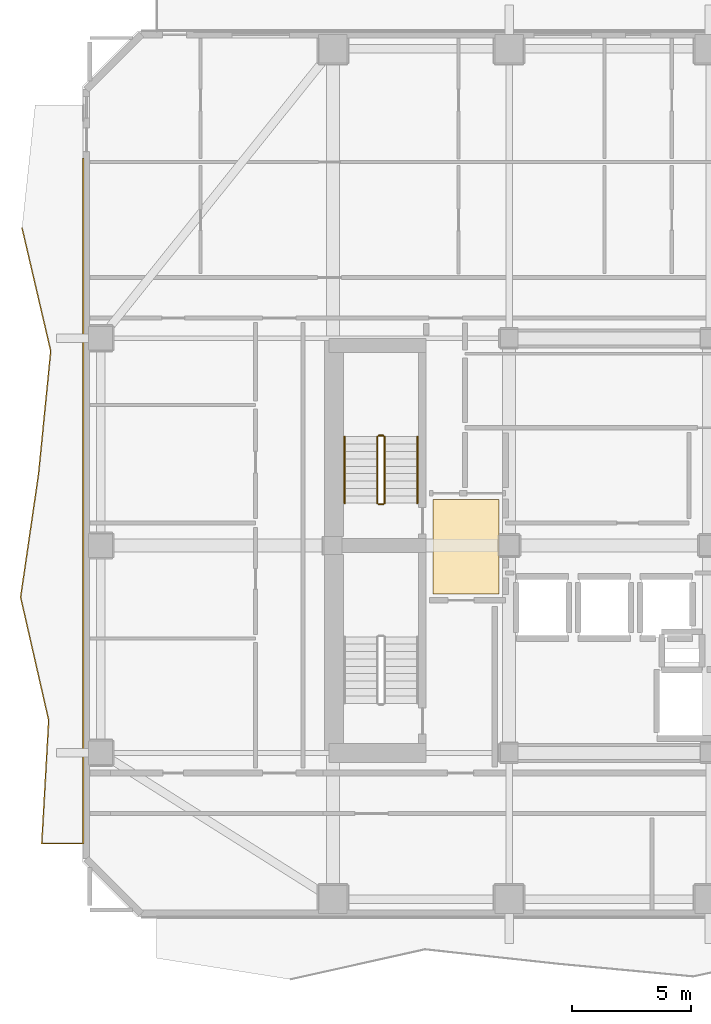
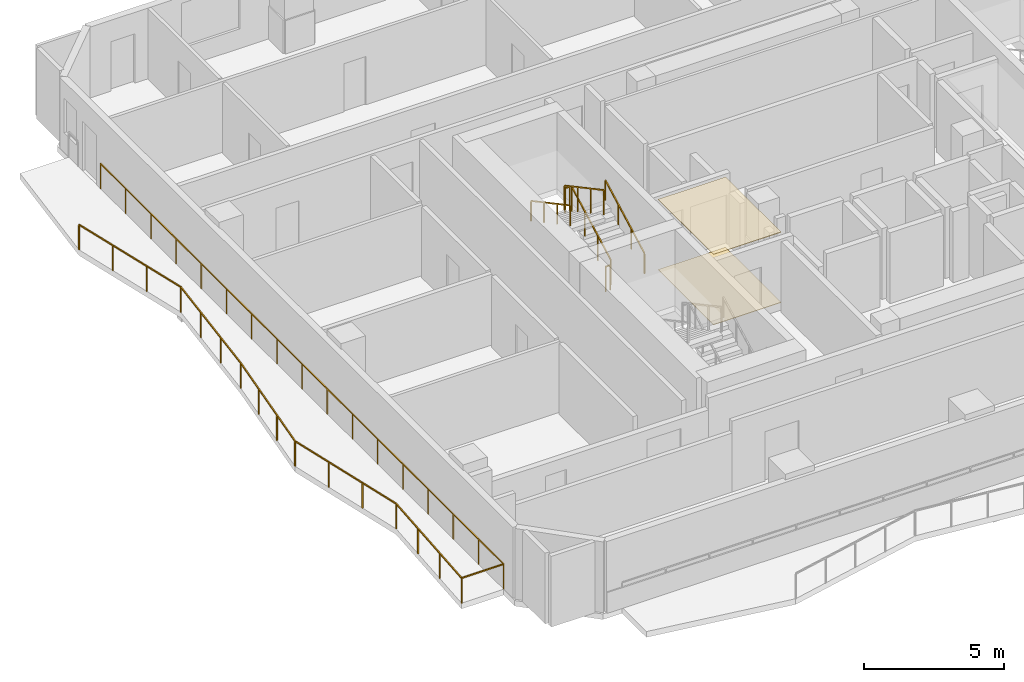
# One storey, part 8 of 10: 7 railings, 2 coverings.
"""IFC4 building model written with IfcOpenShell, lengths in metres."""

from ifc_helpers import new_model, si_unit, direction, frame, origin, origin_2d, place, context, subcontext, project, spatial, polyline, rectangle, outline, extrude, material, layer, layer_set, type_object, element, save


model = new_model("IFC4")

# Units and contexts
model_context = context("Model", 3, precision=1e-05, world=origin(), true_north=direction((0.0, 1.0)))
body_context = subcontext(model_context, "Body", "Model", "MODEL_VIEW")
ifc_project = project(units=[si_unit("LENGTHUNIT", "METRE"), si_unit("AREAUNIT", "SQUARE_METRE"), si_unit("VOLUMEUNIT", "CUBIC_METRE"), si_unit("PLANEANGLEUNIT", "RADIAN"), si_unit("MASSUNIT", "GRAM", prefix="KILO")], contexts=[model_context])

# Site, building, storey
site_placement = place(None, origin())
site = spatial("IfcSite", under=ifc_project, at=site_placement, CompositionType="ELEMENT")
building_placement = place(site_placement, origin())
building = spatial("IfcBuilding", under=site, at=building_placement, Name="Solanera Arch Residences", CompositionType="ELEMENT")
storey_placement = place(building_placement, frame((0.0, 0.0, 176.8798828125)))
storey = spatial("IfcBuildingStorey", under=building, at=storey_placement, Name="L51", CompositionType="ELEMENT", Elevation=176.8798828125)

# Railing
ifc_material_1 = material(Name="Steel S355 (ASTM A992 / A572 Grade 50)", Category="steel")
railing_type_1 = type_object("IfcRailingType", Name="Balustrade Railing BL-1100", PredefinedType="BALUSTRADE", material=ifc_material_1)
railing_1_placement = place(storey_placement, frame((0.35009765625, 44.032958984375, 0.0)))
element("IfcRailing", 1, at=railing_1_placement, inside=storey, type_object=railing_type_1, Name="L51 W Balcony Balustrade 1", PredefinedType="BALUSTRADE", context=body_context, shape_type="SweptSolid", body=[
    extrude(rectangle(XDim=0.048095703125, YDim=0.048095703125, at=origin_2d()), frame((0.0, 0.0, 1.09619140625), z_axis=(0.227127770196, -0.973864968055, 0.0), x_axis=(0.973864968055, 0.227127770196, 0.0)), (0.0, 0.0, 1.0), 5.3046875),
    extrude(rectangle(XDim=0.048095703125, YDim=0.048095703125, at=origin_2d()), frame((1.204833984375, -5.166015625, 1.09619140625), z_axis=(-0.098600525395, -0.995127095597, 0.0), x_axis=(0.995127095597, -0.098600525395, 0.0)), (0.0, 0.0, 1.0), 5.1923828125),
    extrude(rectangle(XDim=0.048095703125, YDim=0.048095703125, at=origin_2d()), frame((0.69287109375, -10.3330078125, 1.09619140625), z_axis=(-0.144013107318, -0.989575780282, 0.0), x_axis=(0.989575780282, -0.144013107318, 0.0)), (0.0, 0.0, 1.0), 5.221435546875),
    extrude(rectangle(XDim=0.048095703125, YDim=0.048095703125, at=origin_2d()), frame((-0.05908203125, -15.5, 1.09619140625), z_axis=(0.222318075251, -0.974974191154, 0.0), x_axis=(0.974974191154, 0.222318075251, 0.0)), (0.0, 0.0, 1.0), 5.298583984375),
    extrude(rectangle(XDim=0.048095703125, YDim=0.048095703125, at=origin_2d()), frame((1.118896484375, -20.666015625, 1.09619140625), z_axis=(-0.056044829191, -0.998428253367, 0.0), x_axis=(0.998428253367, -0.056044829191, 0.0)), (0.0, 0.0, 1.0), 5.175048828125),
    extrude(rectangle(XDim=0.048095703125, YDim=0.048095703125, at=origin_2d()), frame((0.828857421875, -25.8330078125, 1.09619140625), z_axis=(1.0, 0.0, 0.0), x_axis=(0.0, 1.0, 0.0)), (0.0, 0.0, 1.0), 1.740966796875),
    extrude(rectangle(XDim=0.048095703125, YDim=0.048095703125, at=origin_2d()), frame((2.56982421875, -25.8330078125, 1.09619140625), z_axis=(0.0, 1.0, 0.0), x_axis=(-1.0, 0.0, 0.0)), (0.0, 0.0, 1.0), 28.739013671875),
    extrude(rectangle(XDim=0.0419921875, YDim=0.0419921875, at=origin_2d()), origin(), (0.0, 0.0, 1.0), 1.072021484375),
    extrude(rectangle(XDim=0.0419921875, YDim=0.0419921875, at=origin_2d()), frame((0.401611328125, -1.721923828125, 0.0)), (0.0, 0.0, 1.0), 1.072021484375),
    extrude(rectangle(XDim=0.0419921875, YDim=0.0419921875, at=origin_2d()), frame((0.80322265625, -3.444091796875, 0.0)), (0.0, 0.0, 1.0), 1.072021484375),
    extrude(rectangle(XDim=0.0419921875, YDim=0.0419921875, at=origin_2d()), frame((1.204833984375, -5.166015625, 0.0)), (0.0, 0.0, 1.0), 1.072021484375),
    extrude(rectangle(XDim=0.0419921875, YDim=0.0419921875, at=origin_2d()), frame((1.0341796875, -6.888427734375, 0.0)), (0.0, 0.0, 1.0), 1.072021484375),
    extrude(rectangle(XDim=0.0419921875, YDim=0.0419921875, at=origin_2d()), frame((0.863525390625, -8.610595703125, 0.0)), (0.0, 0.0, 1.0), 1.072021484375),
    extrude(rectangle(XDim=0.0419921875, YDim=0.0419921875, at=origin_2d()), frame((0.69287109375, -10.3330078125, 0.0)), (0.0, 0.0, 1.0), 1.072021484375),
    extrude(rectangle(XDim=0.0419921875, YDim=0.0419921875, at=origin_2d()), frame((0.442138671875, -12.055419921875, 0.0)), (0.0, 0.0, 1.0), 1.072021484375),
    extrude(rectangle(XDim=0.0419921875, YDim=0.0419921875, at=origin_2d()), frame((0.191650390625, -13.777587890625, 0.0)), (0.0, 0.0, 1.0), 1.072021484375),
    extrude(rectangle(XDim=0.0419921875, YDim=0.0419921875, at=origin_2d()), frame((-0.05908203125, -15.5, 0.0)), (0.0, 0.0, 1.0), 1.072021484375),
    extrude(rectangle(XDim=0.0419921875, YDim=0.0419921875, at=origin_2d()), frame((0.33349609375, -17.221923828125, 0.0)), (0.0, 0.0, 1.0), 1.072021484375),
    extrude(rectangle(XDim=0.0419921875, YDim=0.0419921875, at=origin_2d()), frame((0.726318359375, -18.944091796875, 0.0)), (0.0, 0.0, 1.0), 1.072021484375),
    extrude(rectangle(XDim=0.0419921875, YDim=0.0419921875, at=origin_2d()), frame((1.118896484375, -20.666015625, 0.0)), (0.0, 0.0, 1.0), 1.072021484375),
    extrude(rectangle(XDim=0.0419921875, YDim=0.0419921875, at=origin_2d()), frame((1.022216796875, -22.388427734375, 0.0)), (0.0, 0.0, 1.0), 1.072021484375),
    extrude(rectangle(XDim=0.0419921875, YDim=0.0419921875, at=origin_2d()), frame((0.925537109375, -24.110595703125, 0.0)), (0.0, 0.0, 1.0), 1.072021484375),
    extrude(rectangle(XDim=0.0419921875, YDim=0.0419921875, at=origin_2d()), frame((0.828857421875, -25.8330078125, 0.0)), (0.0, 0.0, 1.0), 1.072021484375),
    extrude(rectangle(XDim=0.0419921875, YDim=0.0419921875, at=origin_2d()), frame((2.56982421875, -25.8330078125, 0.0)), (0.0, 0.0, 1.0), 1.072021484375),
    extrude(rectangle(XDim=0.0419921875, YDim=0.0419921875, at=origin_2d()), frame((2.56982421875, -24.036865234375, 0.0)), (0.0, 0.0, 1.0), 1.072021484375),
    extrude(rectangle(XDim=0.0419921875, YDim=0.0419921875, at=origin_2d()), frame((2.56982421875, -22.24072265625, 0.0)), (0.0, 0.0, 1.0), 1.072021484375),
    extrude(rectangle(XDim=0.0419921875, YDim=0.0419921875, at=origin_2d()), frame((2.56982421875, -20.4443359375, 0.0)), (0.0, 0.0, 1.0), 1.072021484375),
    extrude(rectangle(XDim=0.0419921875, YDim=0.0419921875, at=origin_2d()), frame((2.56982421875, -18.648193359375, 0.0)), (0.0, 0.0, 1.0), 1.072021484375),
    extrude(rectangle(XDim=0.0419921875, YDim=0.0419921875, at=origin_2d()), frame((2.56982421875, -16.85205078125, 0.0)), (0.0, 0.0, 1.0), 1.072021484375),
    extrude(rectangle(XDim=0.0419921875, YDim=0.0419921875, at=origin_2d()), frame((2.56982421875, -15.055908203125, 0.0)), (0.0, 0.0, 1.0), 1.072021484375),
    extrude(rectangle(XDim=0.0419921875, YDim=0.0419921875, at=origin_2d()), frame((2.56982421875, -13.259765625, 0.0)), (0.0, 0.0, 1.0), 1.072021484375),
    extrude(rectangle(XDim=0.0419921875, YDim=0.0419921875, at=origin_2d()), frame((2.56982421875, -11.46337890625, 0.0)), (0.0, 0.0, 1.0), 1.072021484375),
    extrude(rectangle(XDim=0.0419921875, YDim=0.0419921875, at=origin_2d()), frame((2.56982421875, -9.667236328125, 0.0)), (0.0, 0.0, 1.0), 1.072021484375),
    extrude(rectangle(XDim=0.0419921875, YDim=0.0419921875, at=origin_2d()), frame((2.56982421875, -7.87109375, 0.0)), (0.0, 0.0, 1.0), 1.072021484375),
    extrude(rectangle(XDim=0.0419921875, YDim=0.0419921875, at=origin_2d()), frame((2.56982421875, -6.074951171875, 0.0)), (0.0, 0.0, 1.0), 1.072021484375),
    extrude(rectangle(XDim=0.0419921875, YDim=0.0419921875, at=origin_2d()), frame((2.56982421875, -4.27880859375, 0.0)), (0.0, 0.0, 1.0), 1.072021484375),
    extrude(rectangle(XDim=0.0419921875, YDim=0.0419921875, at=origin_2d()), frame((2.56982421875, -2.482666015625, 0.0)), (0.0, 0.0, 1.0), 1.072021484375),
    extrude(rectangle(XDim=0.0419921875, YDim=0.0419921875, at=origin_2d()), frame((2.56982421875, -0.686279296875, 0.0)), (0.0, 0.0, 1.0), 1.072021484375),
    extrude(rectangle(XDim=0.0419921875, YDim=0.0419921875, at=origin_2d()), frame((2.56982421875, 1.10986328125, 0.0)), (0.0, 0.0, 1.0), 1.072021484375),
    extrude(rectangle(XDim=0.0419921875, YDim=0.0419921875, at=origin_2d()), frame((2.56982421875, 2.906005859375, 0.0)), (0.0, 0.0, 1.0), 1.072021484375),
])

# Covering
ifc_material_2 = material(Name="Porcelain Acoustic Floor Tile", Category="ceramic")
ifc_layer_1 = layer(ifc_material_2, 0.02001953125)
ifc_layer_set_1 = layer_set([ifc_layer_1], Name="Porcelain Acoustic Floor Tile")
covering_type_1 = type_object("IfcCoveringType", Name="Porcelain Acoustic Floor Finish FLR-20", PredefinedType="FLOORING", material=ifc_layer_set_1)
covering_1_placement = place(storey_placement, origin())
element("IfcCovering", 2, at=covering_1_placement, inside=storey, type_object=covering_type_1, Name="L51-FFL-W Porcelain Floor Finish", PredefinedType="FLOORING", context=body_context, shape_type="SweptSolid", body=[
    extrude(outline(polyline([(20.375, 28.675048828125), (17.594970703125, 28.675048828125), (17.594970703125, 32.625), (20.375, 32.625), (20.375, 28.675048828125)])), origin(), (0.0, 0.0, 1.0), 0.02001953125),
])

# Railings
ifc_material_3 = material(Name="Steel S355 (ASTM A992 / A572 Grade 50)", Category="steel")
railing_type_2 = type_object("IfcRailingType", Name="Stair Guardrail GR-1100", PredefinedType="GUARDRAIL", material=ifc_material_3)
railing_2_placement = place(storey_placement, frame((15.570068359375, 32.47998046875, 0.151123046875)))
element("IfcRailing", 3, at=railing_2_placement, inside=storey, type_object=railing_type_2, Name="L51 ST-T1 stair guard 1", PredefinedType="GUARDRAIL", context=body_context, shape_type="SweptSolid", body=[
    extrude(rectangle(XDim=0.048095703125, YDim=0.048095703125, at=origin_2d()), frame((0.0, 0.0, 1.076171875), z_axis=(0.0, 0.881580869306, 0.472033018838), x_axis=(-1.0, 0.0, 0.0)), (0.0, 0.0, 1.0), 3.164794921875),
    extrude(rectangle(XDim=0.0419921875, YDim=0.0419921875, at=origin_2d()), origin(), (0.0, 0.0, 1.0), 1.052001953125),
    extrude(rectangle(XDim=0.0419921875, YDim=0.0419921875, at=origin_2d()), frame((0.0, 0.929931640625, 0.498046875)), (0.0, 0.0, 1.0), 1.052001953125),
    extrude(rectangle(XDim=0.0419921875, YDim=0.0419921875, at=origin_2d()), frame((0.0, 1.860107421875, 0.995849609375)), (0.0, 0.0, 1.0), 1.052001953125),
    extrude(rectangle(XDim=0.0419921875, YDim=0.0419921875, at=origin_2d()), frame((0.0, 2.7900390625, 1.493896484375)), (0.0, 0.0, 1.0), 1.052001953125),
])
railing_3_placement = place(storey_placement, frame((15.52001953125, 35.320068359375, 1.64501953125)))
element("IfcRailing", 4, at=railing_3_placement, inside=storey, type_object=railing_type_2, Name="L51 ST-T1 stair guard 2", PredefinedType="GUARDRAIL", context=body_context, shape_type="SweptSolid", body=[
    extrude(rectangle(XDim=0.048095703125, YDim=0.048095703125, at=origin_2d()), frame((0.0, 0.0, 1.076171875), z_axis=(-1.0, 0.0, 0.0), x_axis=(0.0, -1.0, 0.0)), (0.0, 0.0, 1.0), 0.199951171875),
    extrude(rectangle(XDim=0.0419921875, YDim=0.0419921875, at=origin_2d()), origin(), (0.0, 0.0, 1.0), 1.052001953125),
    extrude(rectangle(XDim=0.0419921875, YDim=0.0419921875, at=origin_2d()), frame((-0.199951171875, 0.0, 0.0)), (0.0, 0.0, 1.0), 1.052001953125),
])
railing_4_placement = place(storey_placement, frame((15.27001953125, 35.27001953125, 1.81103515625)))
element("IfcRailing", 5, at=railing_4_placement, inside=storey, type_object=railing_type_2, Name="L51 ST-T1 stair guard 3", PredefinedType="GUARDRAIL", context=body_context, shape_type="SweptSolid", body=[
    extrude(rectangle(XDim=0.048095703125, YDim=0.048095703125, at=origin_2d()), frame((0.0, 0.0, 1.076171875), z_axis=(0.0, -0.881548766853, 0.472092969298), x_axis=(1.0, 0.0, 0.0)), (0.0, 0.0, 1.0), 3.1650390625),
    extrude(rectangle(XDim=0.0419921875, YDim=0.0419921875, at=origin_2d()), origin(), (0.0, 0.0, 1.0), 1.052001953125),
    extrude(rectangle(XDim=0.0419921875, YDim=0.0419921875, at=origin_2d()), frame((0.0, -0.929931640625, 0.498046875)), (0.0, 0.0, 1.0), 1.052001953125),
    extrude(rectangle(XDim=0.0419921875, YDim=0.0419921875, at=origin_2d()), frame((0.0, -1.860107421875, 0.99609375)), (0.0, 0.0, 1.0), 1.052001953125),
    extrude(rectangle(XDim=0.0419921875, YDim=0.0419921875, at=origin_2d()), frame((0.0, -2.7900390625, 1.494140625)), (0.0, 0.0, 1.0), 1.052001953125),
])
railing_5_placement = place(storey_placement, frame((15.52001953125, 32.429931640625, -0.014892578125)))
element("IfcRailing", 6, at=railing_5_placement, inside=storey, type_object=railing_type_2, Name="L51 ST-T1 stair guard 4", PredefinedType="GUARDRAIL", context=body_context, shape_type="SweptSolid", body=[
    extrude(rectangle(XDim=0.048095703125, YDim=0.048095703125, at=origin_2d()), frame((0.0, 0.0, 1.076171875), z_axis=(-1.0, 0.0, 0.0), x_axis=(0.0, -1.0, 0.0)), (0.0, 0.0, 1.0), 0.199951171875),
    extrude(rectangle(XDim=0.0419921875, YDim=0.0419921875, at=origin_2d()), origin(), (0.0, 0.0, 1.0), 1.052001953125),
    extrude(rectangle(XDim=0.0419921875, YDim=0.0419921875, at=origin_2d()), frame((-0.199951171875, 0.0, 0.0)), (0.0, 0.0, 1.0), 1.052001953125),
])
ifc_material_4 = material(Name="Steel S355 (ASTM A992 / A572 Grade 50)", Category="steel")
railing_type_3 = type_object("IfcRailingType", Name="Stair Wall Handrail HR-920", PredefinedType="HANDRAIL", material=ifc_material_4)
railing_6_placement = place(storey_placement, frame((16.949951171875, 32.47998046875, 0.166015625)))
element("IfcRailing", 7, at=railing_6_placement, inside=storey, type_object=railing_type_3, Name="L51 ST-T1 stair handrail 1", PredefinedType="HANDRAIL", context=body_context, shape_type="SweptSolid", body=[
    extrude(rectangle(XDim=0.048095703125, YDim=0.048095703125, at=origin_2d()), frame((0.0, 0.0, 0.8759765625), z_axis=(0.0, 0.881548766853, 0.472092969298), x_axis=(-1.0, 0.0, 0.0)), (0.0, 0.0, 1.0), 3.1650390625),
    extrude(rectangle(XDim=0.0419921875, YDim=0.0419921875, at=origin_2d()), origin(), (0.0, 0.0, 1.0), 0.851806640625),
    extrude(rectangle(XDim=0.0419921875, YDim=0.0419921875, at=origin_2d()), frame((0.0, 0.929931640625, 0.498046875)), (0.0, 0.0, 1.0), 0.851806640625),
    extrude(rectangle(XDim=0.0419921875, YDim=0.0419921875, at=origin_2d()), frame((0.0, 1.860107421875, 0.99609375)), (0.0, 0.0, 1.0), 0.851806640625),
    extrude(rectangle(XDim=0.0419921875, YDim=0.0419921875, at=origin_2d()), frame((0.0, 2.7900390625, 1.494140625)), (0.0, 0.0, 1.0), 0.851806640625),
])
railing_7_placement = place(storey_placement, frame((13.889892578125, 35.27001953125, 1.826171875)))
element("IfcRailing", 8, at=railing_7_placement, inside=storey, type_object=railing_type_3, Name="L51 ST-T1 stair handrail 2", PredefinedType="HANDRAIL", context=body_context, shape_type="SweptSolid", body=[
    extrude(rectangle(XDim=0.048095703125, YDim=0.048095703125, at=origin_2d()), frame((0.0, 0.0, 0.8759765625), z_axis=(0.0, -0.881580869306, 0.472033018838), x_axis=(1.0, 0.0, 0.0)), (0.0, 0.0, 1.0), 3.164794921875),
    extrude(rectangle(XDim=0.0419921875, YDim=0.0419921875, at=origin_2d()), origin(), (0.0, 0.0, 1.0), 0.851806640625),
    extrude(rectangle(XDim=0.0419921875, YDim=0.0419921875, at=origin_2d()), frame((0.0, -0.929931640625, 0.498046875)), (0.0, 0.0, 1.0), 0.851806640625),
    extrude(rectangle(XDim=0.0419921875, YDim=0.0419921875, at=origin_2d()), frame((0.0, -1.860107421875, 0.995849609375)), (0.0, 0.0, 1.0), 0.851806640625),
    extrude(rectangle(XDim=0.0419921875, YDim=0.0419921875, at=origin_2d()), frame((0.0, -2.7900390625, 1.493896484375)), (0.0, 0.0, 1.0), 0.851806640625),
])

# Covering
ifc_material_5 = material(Name="Mineral Fibre Acoustic Ceiling Board", Category="gypsum")
ifc_layer_2 = layer(ifc_material_5, 0.02490234375)
ifc_layer_set_2 = layer_set([ifc_layer_2], Name="Mineral Fibre Acoustic Ceiling Board")
covering_type_2 = type_object("IfcCoveringType", Name="Suspended Acoustic Ceiling Board CLG-25", PredefinedType="CEILING", material=ifc_layer_set_2)
covering_2_placement = place(storey_placement, frame((0.0, 0.0, 3.05517578125)))
element("IfcCovering", 9, at=covering_2_placement, inside=storey, type_object=covering_type_2, Name="L51-FFL-W Acoustic Ceiling", PredefinedType="CEILING", context=body_context, shape_type="SweptSolid", body=[
    extrude(outline(polyline([(20.375, 28.675048828125), (17.594970703125, 28.675048828125), (17.594970703125, 32.625), (20.375, 32.625), (20.375, 28.675048828125)])), origin(), (0.0, 0.0, 1.0), 0.02490234375),
])

save(model, "model.ifc")
